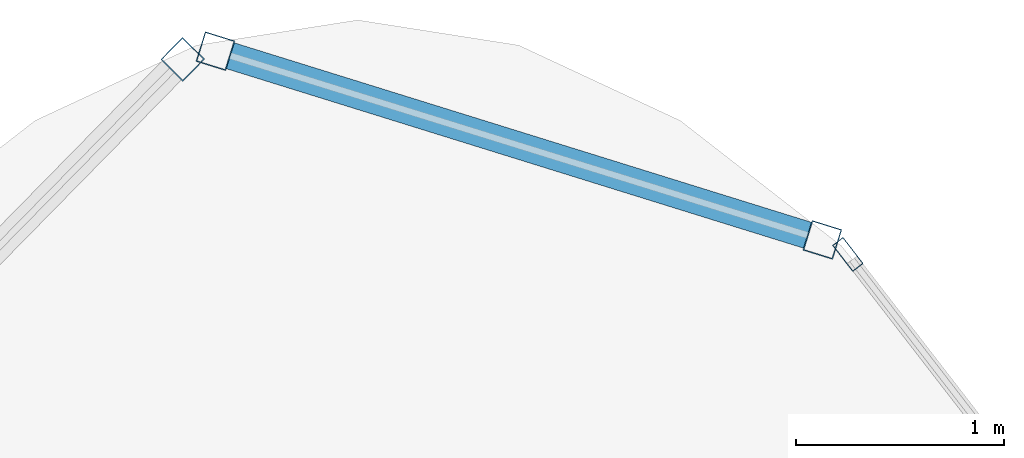
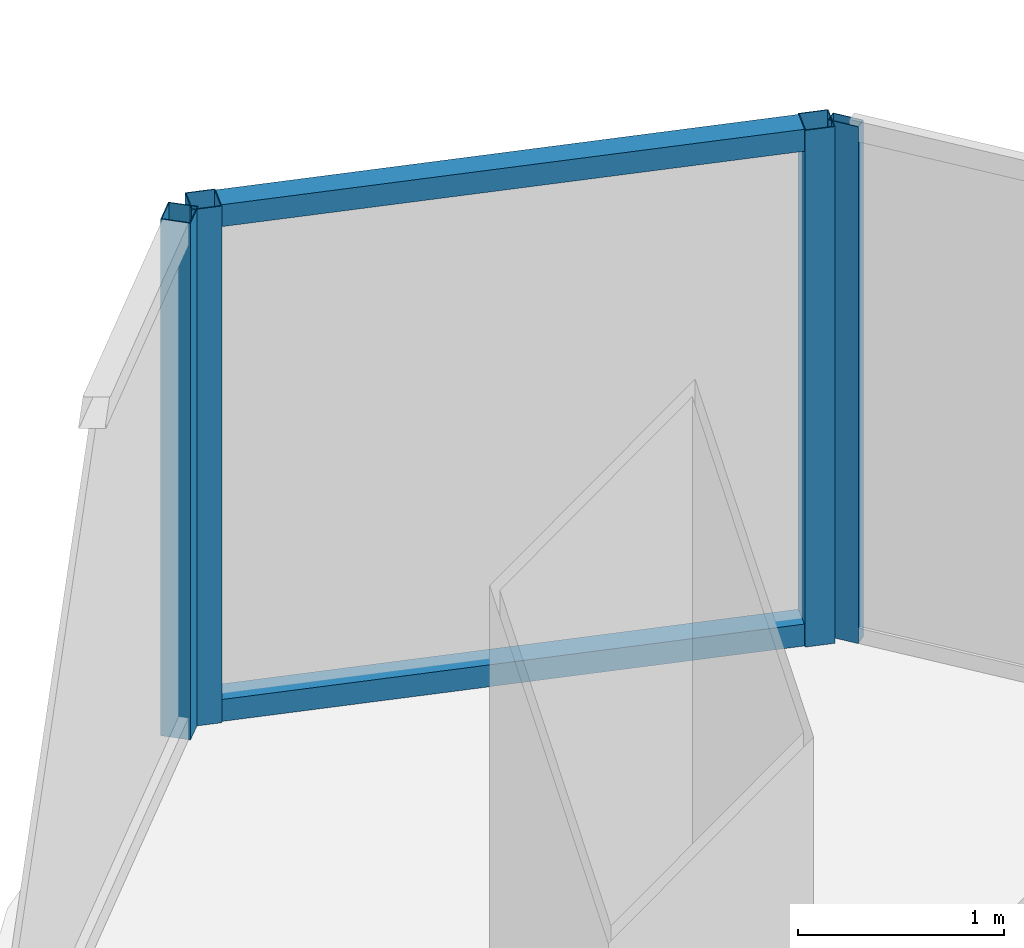
# One storey, part 23 of 28: 6 members, 3 elements without a shape of their own.
"""IFC4 building model written with IfcOpenShell, lengths in metres."""

from ifc_helpers import new_model, si_unit, direction, frame, origin, origin_2d, place, context, subcontext, project, spatial, hollow_rectangle, extrude, material, layer, layer_set, material_profile, profile_set, type_object, element, aggregate, save


model = new_model("IFC4")

# Units and contexts
model_context = context("Model", 3, precision=1e-05, world=origin(), true_north=direction((0.0, 1.0)))
body_context = subcontext(model_context, "Body", "Model", "MODEL_VIEW")
ifc_project = project(units=[si_unit("LENGTHUNIT", "METRE"), si_unit("AREAUNIT", "SQUARE_METRE"), si_unit("VOLUMEUNIT", "CUBIC_METRE"), si_unit("PLANEANGLEUNIT", "RADIAN"), si_unit("MASSUNIT", "GRAM", prefix="KILO")], contexts=[model_context])

# Site, building, storey
site_placement = place(None, origin())
site = spatial("IfcSite", under=ifc_project, at=site_placement, CompositionType="ELEMENT")
building_placement = place(site_placement, origin())
building = spatial("IfcBuilding", under=site, at=building_placement, Name="Orvanel Arch Residences", CompositionType="ELEMENT")
storey_placement = place(building_placement, frame((0.0, 0.0, 260.14990234375)))
storey = spatial("IfcBuildingStorey", under=building, at=storey_placement, Name="L74", CompositionType="ELEMENT", Elevation=260.14990234375)

# Curtain wall, members
ifc_material = material(Name="Bronze-anodised aluminium AA6063-T6", Category="aluminium")
ifc_layer_1 = layer(ifc_material, 0.18994140625)
ifc_layer_set_1 = layer_set([ifc_layer_1], Name="Bronze-anodised aluminium AA6063-T6")
curtain_wall_type_1 = type_object("IfcCurtainWallType", Name="CW5-CRN-SYS", PredefinedType="NOTDEFINED", material=ifc_layer_set_1)
curtain_wall_1_placement = place(storey_placement, origin())
curtain_wall_1 = element("IfcCurtainWall", 1, at=curtain_wall_1_placement, inside=storey, type_object=curtain_wall_type_1, Name="L74 CW5-CRN-SYS Unitised Curtain Wall", PredefinedType="NOTDEFINED")
ifc_material_profile_1 = material_profile(ifc_material, hollow_rectangle(XDim=0.14990234375, YDim=0.14990234375, WallThickness=0.0048828125, at=origin_2d()), Name="ALU150x150x5")
ifc_profile_set_1 = profile_set([ifc_material_profile_1], Name="Bronze-anodised aluminium AA6063-T6")
member_type_1 = type_object("IfcMemberType", Name="MUL-150x150", PredefinedType="MULLION", material=ifc_profile_set_1)
member_1_placement = place(storey_placement, frame((35.2294921875, 43.6591796875, 0.0), z_axis=(0.0, 0.0, 1.0), x_axis=(-0.296939890194, -0.95489617321, 0.0)))
member_1 = element("IfcMember", 2, at=member_1_placement, type_object=member_type_1, Name="CW-S5 mullion 1", PredefinedType="MULLION", context=body_context, shape_type="SweptSolid", body=[
    extrude(hollow_rectangle(XDim=0.14990234375, YDim=0.14990234375, WallThickness=0.0048828125, at=origin_2d()), origin(), (0.0, 0.0, 1.0), 3.06005859375),
])
member_2_placement = place(storey_placement, frame((32.317626953125, 44.564697265625, 0.0), z_axis=(0.0, 0.0, 1.0), x_axis=(-0.296939890194, -0.95489617321, 0.0)))
member_2 = element("IfcMember", 3, at=member_2_placement, type_object=member_type_1, Name="CW-S5 mullion 2", PredefinedType="MULLION", context=body_context, shape_type="SweptSolid", body=[
    extrude(hollow_rectangle(XDim=0.14990234375, YDim=0.14990234375, WallThickness=0.0048828125, at=origin_2d()), origin(), (0.0, 0.0, 1.0), 3.06005859375),
])

# Curtain wall, member
curtain_wall_2_placement = place(storey_placement, origin())
curtain_wall_2 = element("IfcCurtainWall", 4, at=curtain_wall_2_placement, inside=storey, type_object=curtain_wall_type_1, Name="L74 CW5-CRN-SYS Unitised Curtain Wall", PredefinedType="NOTDEFINED")
member_3_placement = place(storey_placement, frame((32.160400390625, 44.525390625, 0.0), z_axis=(0.0, 0.0, 1.0), x_axis=(0.713621357138, -0.700531625722, 0.0)))
member_3 = element("IfcMember", 5, at=member_3_placement, type_object=member_type_1, Name="CW-S5 mullion 1", PredefinedType="MULLION", context=body_context, shape_type="SweptSolid", body=[
    extrude(hollow_rectangle(XDim=0.14990234375, YDim=0.14990234375, WallThickness=0.0048828125, at=origin_2d()), origin(), (0.0, 0.0, 1.0), 3.06005859375),
])
aggregate(curtain_wall_2, [member_3])

ifc_layer_2 = layer(ifc_material, 0.175048828125)
ifc_layer_set_2 = layer_set([ifc_layer_2], Name="Bronze-anodised aluminium AA6063-T6")
curtain_wall_type_2 = type_object("IfcCurtainWallType", Name="CW4-HI-SYS", PredefinedType="NOTDEFINED", material=ifc_layer_set_2)
curtain_wall_3_placement = place(storey_placement, origin())
curtain_wall_3 = element("IfcCurtainWall", 6, at=curtain_wall_3_placement, inside=storey, type_object=curtain_wall_type_2, Name="L74 CW4-HI-SYS Unitised Curtain Wall", PredefinedType="NOTDEFINED")
ifc_material_profile_2 = material_profile(ifc_material, hollow_rectangle(XDim=0.06494140625, YDim=0.159912109375, WallThickness=0.00390625, at=origin_2d()), Name="ALU160x65x4")
ifc_profile_set_2 = profile_set([ifc_material_profile_2], Name="Bronze-anodised aluminium AA6063-T6")
member_type_2 = type_object("IfcMemberType", Name="MUL-160x65", PredefinedType="MULLION", material=ifc_profile_set_2)
member_4_placement = place(storey_placement, frame((35.351806640625, 43.58935546875, 0.0), z_axis=(0.0, 0.0, 1.0), x_axis=(-0.791176992709, -0.611587251509, 0.0)))
member_4 = element("IfcMember", 7, at=member_4_placement, type_object=member_type_2, Name="CW-S4 mullion 3", PredefinedType="MULLION", context=body_context, shape_type="SweptSolid", body=[
    extrude(hollow_rectangle(XDim=0.06494140625, YDim=0.159912109375, WallThickness=0.00390625, at=origin_2d()), origin(), (0.0, 0.0, 1.0), 3.06005859375),
])
aggregate(curtain_wall_3, [member_4])

# Member
ifc_material_profile_3 = material_profile(ifc_material, hollow_rectangle(XDim=0.1298828125, YDim=0.1298828125, WallThickness=0.00439453125, at=origin_2d()), Name="ALU130x130x4.5")
ifc_profile_set_3 = profile_set([ifc_material_profile_3], Name="Bronze-anodised aluminium AA6063-T6")
member_type_3 = type_object("IfcMemberType", Name="TRN-130x130", PredefinedType="USERDEFINED", material=ifc_profile_set_3)
member_5_placement = place(storey_placement, frame((35.15771484375, 43.681640625, 0.065185546875), z_axis=(-0.954904535486, 0.296912997542, 0.0), x_axis=(-0.296912997542, -0.954904535486, 0.0)))
member_5 = element("IfcMember", 8, at=member_5_placement, type_object=member_type_3, Name="CW-S5 transom 1.1", ObjectType="TRANSOM", PredefinedType="USERDEFINED", context=body_context, shape_type="SweptSolid", body=[
    extrude(hollow_rectangle(XDim=0.1298828125, YDim=0.1298828125, WallThickness=0.00439453125, at=origin_2d()), origin(), (0.0, 0.0, 1.0), 2.8994140625),
])

member_6_placement = place(storey_placement, frame((35.15771484375, 43.681640625, 2.9951171875), z_axis=(-0.954904535486, 0.296912997542, 0.0), x_axis=(-0.296912997542, -0.954904535486, 0.0)))
member_6 = element("IfcMember", 9, at=member_6_placement, type_object=member_type_3, Name="CW-S5 transom 1.2", ObjectType="TRANSOM", PredefinedType="USERDEFINED", context=body_context, shape_type="SweptSolid", body=[
    extrude(hollow_rectangle(XDim=0.1298828125, YDim=0.1298828125, WallThickness=0.00439453125, at=origin_2d()), origin(), (0.0, 0.0, 1.0), 2.8994140625),
])

aggregate(curtain_wall_1, [member_1, member_2, member_5, member_6])

save(model, "model.ifc")
